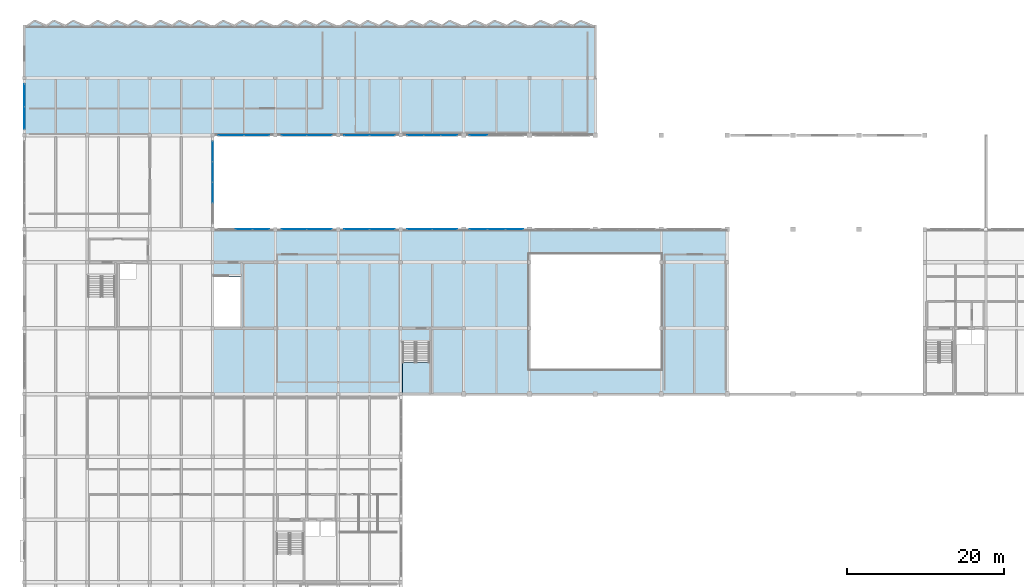
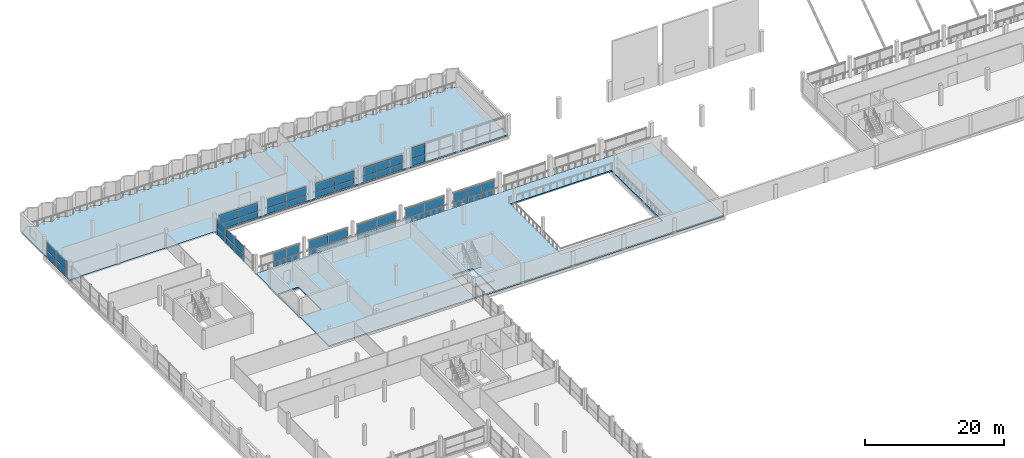
# One storey, part 32 of 51: 52 plates, 3 slabs, 13 elements without a shape of their own.
"""IFC4 building model written with IfcOpenShell, lengths in metres."""

from ifc_helpers import new_model, si_unit, direction, frame, origin, origin_2d, place, context, subcontext, project, spatial, polyline, rectangle, outline, extrude, material, layer, layer_set, type_object, element, aggregate, save


model = new_model("IFC4")

# Units and contexts
model_context = context("Model", 3, precision=1e-05, world=origin(), true_north=direction((0.0, 1.0)))
body_context = subcontext(model_context, "Body", "Model", "MODEL_VIEW")
ifc_project = project(units=[si_unit("LENGTHUNIT", "METRE"), si_unit("AREAUNIT", "SQUARE_METRE"), si_unit("VOLUMEUNIT", "CUBIC_METRE"), si_unit("PLANEANGLEUNIT", "RADIAN"), si_unit("MASSUNIT", "GRAM", prefix="KILO")], contexts=[model_context])

# Site, building, storey
site_placement = place(None, origin())
site = spatial("IfcSite", under=ifc_project, at=site_placement, CompositionType="ELEMENT")
building_placement = place(site_placement, origin())
building = spatial("IfcBuilding", under=site, at=building_placement, Name="Vharandega Faculty of Natural Sciences", CompositionType="ELEMENT")
storey_placement = place(building_placement, frame((0.0, 0.0, 14.39990234375)))
storey = spatial("IfcBuildingStorey", under=building, at=storey_placement, Name="L03", CompositionType="ELEMENT", Elevation=14.39990234375)

# Curtain wall, plates
ifc_material_1 = material(Name="Aluminium and solar-control glass curtain wall", Category="aluminium")
curtain_wall_type_1 = type_object("IfcCurtainWallType", Name="Unitised Curtain Wall System CW-11", PredefinedType="NOTDEFINED", material=ifc_material_1)
curtain_wall_1_placement = place(storey_placement, origin())
curtain_wall_1 = element("IfcCurtainWall", 1, at=curtain_wall_1_placement, inside=storey, type_object=curtain_wall_type_1, Name="Curtain Wall CW-L03-066", PredefinedType="NOTDEFINED")
ifc_material_2 = material(Name="Double-glazed low-E solar glass", Category="glass")
ifc_layer_1 = layer(ifc_material_2, 0.028076171875, Name="Double-glazed low-E solar glass")
ifc_layer_set_1 = layer_set([ifc_layer_1], Name="Double-glazed low-E solar glass")
plate_type = type_object("IfcPlateType", Name="CW Solar Vision Panel 28mm", PredefinedType="CURTAIN_PANEL", material=ifc_layer_set_1)
plate_1_placement = place(storey_placement, frame((0.0, 99.2099609375, 0.06005859375), z_axis=(0.0, 0.0, 1.0), x_axis=(0.0, 1.0, 0.0)))
plate_1 = element("IfcPlate", 2, at=plate_1_placement, type_object=plate_type, Name="CW-11 panel 1.1", PredefinedType="CURTAIN_PANEL", context=body_context, shape_type="SweptSolid", body=[
    extrude(rectangle(XDim=2.820068359375, YDim=0.028076171875, at=origin_2d()), origin(), (0.0, 0.0, 1.0), 1.060791015625),
])
plate_2_placement = place(storey_placement, frame((0.0, 99.2099609375, 1.1806640625), z_axis=(0.0, 0.0, 1.0), x_axis=(0.0, 1.0, 0.0)))
plate_2 = element("IfcPlate", 3, at=plate_2_placement, type_object=plate_type, Name="CW-11 panel 1.2", PredefinedType="CURTAIN_PANEL", context=body_context, shape_type="SweptSolid", body=[
    extrude(rectangle(XDim=2.820068359375, YDim=0.028076171875, at=origin_2d()), origin(), (0.0, 0.0, 1.0), 1.499267578125),
])
plate_3_placement = place(storey_placement, frame((0.0, 102.090087890625, 0.06005859375), z_axis=(0.0, 0.0, 1.0), x_axis=(0.0, 1.0, 0.0)))
plate_3 = element("IfcPlate", 4, at=plate_3_placement, type_object=plate_type, Name="CW-11 panel 2.1", PredefinedType="CURTAIN_PANEL", context=body_context, shape_type="SweptSolid", body=[
    extrude(rectangle(XDim=2.820068359375, YDim=0.028076171875, at=origin_2d()), origin(), (0.0, 0.0, 1.0), 1.060791015625),
])
plate_4_placement = place(storey_placement, frame((0.0, 102.090087890625, 1.1806640625), z_axis=(0.0, 0.0, 1.0), x_axis=(0.0, 1.0, 0.0)))
plate_4 = element("IfcPlate", 5, at=plate_4_placement, type_object=plate_type, Name="CW-11 panel 2.2", PredefinedType="CURTAIN_PANEL", context=body_context, shape_type="SweptSolid", body=[
    extrude(rectangle(XDim=2.820068359375, YDim=0.028076171875, at=origin_2d()), origin(), (0.0, 0.0, 1.0), 1.499267578125),
])
aggregate(curtain_wall_1, [plate_1, plate_2, plate_3, plate_4])

ifc_material_3 = material(Name="Aluminium and solar-control glass curtain wall", Category="aluminium")
curtain_wall_type_2 = type_object("IfcCurtainWallType", Name="Unitised Curtain Wall System CW-12", PredefinedType="NOTDEFINED", material=ifc_material_3)
curtain_wall_2_placement = place(storey_placement, origin())
curtain_wall_2 = element("IfcCurtainWall", 6, at=curtain_wall_2_placement, inside=storey, type_object=curtain_wall_type_2, Name="Curtain Wall CW-L03-067", PredefinedType="NOTDEFINED")
plate_5_placement = place(storey_placement, frame((26.385009765625, 97.0, 0.06005859375), z_axis=(0.0, 0.0, 1.0), x_axis=(1.0, 0.0, 0.0)))
plate_5 = element("IfcPlate", 7, at=plate_5_placement, type_object=plate_type, Name="CW-12 panel 1.1", PredefinedType="CURTAIN_PANEL", context=body_context, shape_type="SweptSolid", body=[
    extrude(rectangle(XDim=3.169921875, YDim=0.028076171875, at=origin_2d()), origin(), (0.0, 0.0, 1.0), 1.027099609375),
])
plate_6_placement = place(storey_placement, frame((26.385009765625, 97.0, 1.1474609375), z_axis=(0.0, 0.0, 1.0), x_axis=(1.0, 0.0, 0.0)))
plate_6 = element("IfcPlate", 8, at=plate_6_placement, type_object=plate_type, Name="CW-12 panel 1.2", PredefinedType="CURTAIN_PANEL", context=body_context, shape_type="SweptSolid", body=[
    extrude(rectangle(XDim=3.169921875, YDim=0.028076171875, at=origin_2d()), origin(), (0.0, 0.0, 1.0), 1.452880859375),
])
plate_7_placement = place(storey_placement, frame((29.614990234375, 97.0, 0.06005859375), z_axis=(0.0, 0.0, 1.0), x_axis=(1.0, 0.0, 0.0)))
plate_7 = element("IfcPlate", 9, at=plate_7_placement, type_object=plate_type, Name="CW-12 panel 2.1", PredefinedType="CURTAIN_PANEL", context=body_context, shape_type="SweptSolid", body=[
    extrude(rectangle(XDim=3.169921875, YDim=0.028076171875, at=origin_2d()), origin(), (0.0, 0.0, 1.0), 1.027099609375),
])
plate_8_placement = place(storey_placement, frame((29.614990234375, 97.0, 1.1474609375), z_axis=(0.0, 0.0, 1.0), x_axis=(1.0, 0.0, 0.0)))
plate_8 = element("IfcPlate", 10, at=plate_8_placement, type_object=plate_type, Name="CW-12 panel 2.2", PredefinedType="CURTAIN_PANEL", context=body_context, shape_type="SweptSolid", body=[
    extrude(rectangle(XDim=3.169921875, YDim=0.028076171875, at=origin_2d()), origin(), (0.0, 0.0, 1.0), 1.452880859375),
])
aggregate(curtain_wall_2, [plate_5, plate_6, plate_7, plate_8])

ifc_material_4 = material(Name="Aluminium and solar-control glass curtain wall", Category="aluminium")
curtain_wall_type_3 = type_object("IfcCurtainWallType", Name="Unitised Curtain Wall System CW-13", PredefinedType="NOTDEFINED", material=ifc_material_4)
curtain_wall_3_placement = place(storey_placement, origin())
curtain_wall_3 = element("IfcCurtainWall", 11, at=curtain_wall_3_placement, inside=storey, type_object=curtain_wall_type_3, Name="Curtain Wall CW-L03-068", PredefinedType="NOTDEFINED")
plate_9_placement = place(storey_placement, frame((34.385009765625, 97.0, 0.06005859375), z_axis=(0.0, 0.0, 1.0), x_axis=(1.0, 0.0, 0.0)))
plate_9 = element("IfcPlate", 12, at=plate_9_placement, type_object=plate_type, Name="CW-13 panel 1.1", PredefinedType="CURTAIN_PANEL", context=body_context, shape_type="SweptSolid", body=[
    extrude(rectangle(XDim=3.169921875, YDim=0.028076171875, at=origin_2d()), origin(), (0.0, 0.0, 1.0), 1.027099609375),
])
plate_10_placement = place(storey_placement, frame((34.385009765625, 97.0, 1.1474609375), z_axis=(0.0, 0.0, 1.0), x_axis=(1.0, 0.0, 0.0)))
plate_10 = element("IfcPlate", 13, at=plate_10_placement, type_object=plate_type, Name="CW-13 panel 1.2", PredefinedType="CURTAIN_PANEL", context=body_context, shape_type="SweptSolid", body=[
    extrude(rectangle(XDim=3.169921875, YDim=0.028076171875, at=origin_2d()), origin(), (0.0, 0.0, 1.0), 1.452880859375),
])
plate_11_placement = place(storey_placement, frame((37.614990234375, 97.0, 0.06005859375), z_axis=(0.0, 0.0, 1.0), x_axis=(1.0, 0.0, 0.0)))
plate_11 = element("IfcPlate", 14, at=plate_11_placement, type_object=plate_type, Name="CW-13 panel 2.1", PredefinedType="CURTAIN_PANEL", context=body_context, shape_type="SweptSolid", body=[
    extrude(rectangle(XDim=3.169921875, YDim=0.028076171875, at=origin_2d()), origin(), (0.0, 0.0, 1.0), 1.027099609375),
])
plate_12_placement = place(storey_placement, frame((37.614990234375, 97.0, 1.1474609375), z_axis=(0.0, 0.0, 1.0), x_axis=(1.0, 0.0, 0.0)))
plate_12 = element("IfcPlate", 15, at=plate_12_placement, type_object=plate_type, Name="CW-13 panel 2.2", PredefinedType="CURTAIN_PANEL", context=body_context, shape_type="SweptSolid", body=[
    extrude(rectangle(XDim=3.169921875, YDim=0.028076171875, at=origin_2d()), origin(), (0.0, 0.0, 1.0), 1.452880859375),
])
aggregate(curtain_wall_3, [plate_9, plate_10, plate_11, plate_12])

ifc_material_5 = material(Name="Aluminium and solar-control glass curtain wall", Category="aluminium")
curtain_wall_type_4 = type_object("IfcCurtainWallType", Name="Unitised Curtain Wall System CW-14", PredefinedType="NOTDEFINED", material=ifc_material_5)
curtain_wall_4_placement = place(storey_placement, origin())
curtain_wall_4 = element("IfcCurtainWall", 16, at=curtain_wall_4_placement, inside=storey, type_object=curtain_wall_type_4, Name="Curtain Wall CW-L03-069", PredefinedType="NOTDEFINED")
plate_13_placement = place(storey_placement, frame((42.385009765625, 97.0, 0.06005859375), z_axis=(0.0, 0.0, 1.0), x_axis=(1.0, 0.0, 0.0)))
plate_13 = element("IfcPlate", 17, at=plate_13_placement, type_object=plate_type, Name="CW-14 panel 1.1", PredefinedType="CURTAIN_PANEL", context=body_context, shape_type="SweptSolid", body=[
    extrude(rectangle(XDim=3.169921875, YDim=0.028076171875, at=origin_2d()), origin(), (0.0, 0.0, 1.0), 1.027099609375),
])
plate_14_placement = place(storey_placement, frame((42.385009765625, 97.0, 1.1474609375), z_axis=(0.0, 0.0, 1.0), x_axis=(1.0, 0.0, 0.0)))
plate_14 = element("IfcPlate", 18, at=plate_14_placement, type_object=plate_type, Name="CW-14 panel 1.2", PredefinedType="CURTAIN_PANEL", context=body_context, shape_type="SweptSolid", body=[
    extrude(rectangle(XDim=3.169921875, YDim=0.028076171875, at=origin_2d()), origin(), (0.0, 0.0, 1.0), 1.452880859375),
])
plate_15_placement = place(storey_placement, frame((45.614990234375, 97.0, 0.06005859375), z_axis=(0.0, 0.0, 1.0), x_axis=(1.0, 0.0, 0.0)))
plate_15 = element("IfcPlate", 19, at=plate_15_placement, type_object=plate_type, Name="CW-14 panel 2.1", PredefinedType="CURTAIN_PANEL", context=body_context, shape_type="SweptSolid", body=[
    extrude(rectangle(XDim=3.169921875, YDim=0.028076171875, at=origin_2d()), origin(), (0.0, 0.0, 1.0), 1.027099609375),
])
plate_16_placement = place(storey_placement, frame((45.614990234375, 97.0, 1.1474609375), z_axis=(0.0, 0.0, 1.0), x_axis=(1.0, 0.0, 0.0)))
plate_16 = element("IfcPlate", 20, at=plate_16_placement, type_object=plate_type, Name="CW-14 panel 2.2", PredefinedType="CURTAIN_PANEL", context=body_context, shape_type="SweptSolid", body=[
    extrude(rectangle(XDim=3.169921875, YDim=0.028076171875, at=origin_2d()), origin(), (0.0, 0.0, 1.0), 1.452880859375),
])
aggregate(curtain_wall_4, [plate_13, plate_14, plate_15, plate_16])

ifc_material_6 = material(Name="Aluminium and solar-control glass curtain wall", Category="aluminium")
curtain_wall_type_5 = type_object("IfcCurtainWallType", Name="Unitised Curtain Wall System CW-15", PredefinedType="NOTDEFINED", material=ifc_material_6)
curtain_wall_5_placement = place(storey_placement, origin())
curtain_wall_5 = element("IfcCurtainWall", 21, at=curtain_wall_5_placement, inside=storey, type_object=curtain_wall_type_5, Name="Curtain Wall CW-L03-070", PredefinedType="NOTDEFINED")
plate_17_placement = place(storey_placement, frame((49.841552734375, 97.0, 0.06005859375), z_axis=(0.0, 0.0, 1.0), x_axis=(1.0, 0.0, 0.0)))
plate_17 = element("IfcPlate", 22, at=plate_17_placement, type_object=plate_type, Name="CW-15 panel 1.1", PredefinedType="CURTAIN_PANEL", context=body_context, shape_type="SweptSolid", body=[
    extrude(rectangle(XDim=2.083251953125, YDim=0.028076171875, at=origin_2d()), origin(), (0.0, 0.0, 1.0), 1.027099609375),
])
plate_18_placement = place(storey_placement, frame((49.841552734375, 97.0, 1.1474609375), z_axis=(0.0, 0.0, 1.0), x_axis=(1.0, 0.0, 0.0)))
plate_18 = element("IfcPlate", 23, at=plate_18_placement, type_object=plate_type, Name="CW-15 panel 1.2", PredefinedType="CURTAIN_PANEL", context=body_context, shape_type="SweptSolid", body=[
    extrude(rectangle(XDim=2.083251953125, YDim=0.028076171875, at=origin_2d()), origin(), (0.0, 0.0, 1.0), 1.452880859375),
])
plate_19_placement = place(storey_placement, frame((52.0, 97.0, 0.06005859375), z_axis=(0.0, 0.0, 1.0), x_axis=(1.0, 0.0, 0.0)))
plate_19 = element("IfcPlate", 24, at=plate_19_placement, type_object=plate_type, Name="CW-15 panel 2.1", PredefinedType="CURTAIN_PANEL", context=body_context, shape_type="SweptSolid", body=[
    extrude(rectangle(XDim=2.11328125, YDim=0.028076171875, at=origin_2d()), origin(), (0.0, 0.0, 1.0), 1.027099609375),
])
plate_20_placement = place(storey_placement, frame((52.0, 97.0, 1.1474609375), z_axis=(0.0, 0.0, 1.0), x_axis=(1.0, 0.0, 0.0)))
plate_20 = element("IfcPlate", 25, at=plate_20_placement, type_object=plate_type, Name="CW-15 panel 2.2", PredefinedType="CURTAIN_PANEL", context=body_context, shape_type="SweptSolid", body=[
    extrude(rectangle(XDim=2.11328125, YDim=0.028076171875, at=origin_2d()), origin(), (0.0, 0.0, 1.0), 1.452880859375),
])
plate_21_placement = place(storey_placement, frame((54.158447265625, 97.0, 0.06005859375), z_axis=(0.0, 0.0, 1.0), x_axis=(1.0, 0.0, 0.0)))
plate_21 = element("IfcPlate", 26, at=plate_21_placement, type_object=plate_type, Name="CW-15 panel 3.1", PredefinedType="CURTAIN_PANEL", context=body_context, shape_type="SweptSolid", body=[
    extrude(rectangle(XDim=2.083251953125, YDim=0.028076171875, at=origin_2d()), origin(), (0.0, 0.0, 1.0), 1.027099609375),
])
plate_22_placement = place(storey_placement, frame((54.158447265625, 97.0, 1.1474609375), z_axis=(0.0, 0.0, 1.0), x_axis=(1.0, 0.0, 0.0)))
plate_22 = element("IfcPlate", 27, at=plate_22_placement, type_object=plate_type, Name="CW-15 panel 3.2", PredefinedType="CURTAIN_PANEL", context=body_context, shape_type="SweptSolid", body=[
    extrude(rectangle(XDim=2.083251953125, YDim=0.028076171875, at=origin_2d()), origin(), (0.0, 0.0, 1.0), 1.452880859375),
])
aggregate(curtain_wall_5, [plate_17, plate_18, plate_19, plate_20, plate_21, plate_22])

ifc_material_7 = material(Name="Aluminium and solar-control glass curtain wall", Category="aluminium")
curtain_wall_type_6 = type_object("IfcCurtainWallType", Name="Unitised Curtain Wall System CW-16", PredefinedType="NOTDEFINED", material=ifc_material_7)
curtain_wall_6_placement = place(storey_placement, origin())
curtain_wall_6 = element("IfcCurtainWall", 28, at=curtain_wall_6_placement, inside=storey, type_object=curtain_wall_type_6, Name="Curtain Wall CW-L03-071", PredefinedType="NOTDEFINED")
plate_23_placement = place(storey_placement, frame((57.908447265625, 97.0, 0.06005859375), z_axis=(0.0, 0.0, 1.0), x_axis=(1.0, 0.0, 0.0)))
plate_23 = element("IfcPlate", 29, at=plate_23_placement, type_object=plate_type, Name="CW-16 panel 1.1", PredefinedType="CURTAIN_PANEL", context=body_context, shape_type="SweptSolid", body=[
    extrude(rectangle(XDim=2.216552734375, YDim=0.028076171875, at=origin_2d()), origin(), (0.0, 0.0, 1.0), 1.304443359375),
])
plate_24_placement = place(storey_placement, frame((57.908447265625, 97.0, 1.42431640625), z_axis=(0.0, 0.0, 1.0), x_axis=(1.0, 0.0, 0.0)))
plate_24 = element("IfcPlate", 30, at=plate_24_placement, type_object=plate_type, Name="CW-16 panel 1.2", PredefinedType="CURTAIN_PANEL", context=body_context, shape_type="SweptSolid", body=[
    extrude(rectangle(XDim=2.216552734375, YDim=0.028076171875, at=origin_2d()), origin(), (0.0, 0.0, 1.0), 1.835693359375),
])
aggregate(curtain_wall_6, [plate_23, plate_24])

ifc_material_8 = material(Name="Aluminium and solar-control glass curtain wall", Category="aluminium")
curtain_wall_type_7 = type_object("IfcCurtainWallType", Name="Unitised Curtain Wall System CW-18", PredefinedType="NOTDEFINED", material=ifc_material_8)
curtain_wall_7_placement = place(storey_placement, origin())
curtain_wall_7 = element("IfcCurtainWall", 31, at=curtain_wall_7_placement, inside=storey, type_object=curtain_wall_type_7, Name="Curtain Wall CW-L03-073", PredefinedType="NOTDEFINED")
plate_25_placement = place(storey_placement, frame((24.0, 89.68505859375, 0.06005859375), z_axis=(0.0, 0.0, 1.0), x_axis=(0.0, 1.0, 0.0)))
plate_25 = element("IfcPlate", 32, at=plate_25_placement, type_object=plate_type, Name="CW-18 panel 2.1", PredefinedType="CURTAIN_PANEL", context=body_context, shape_type="SweptSolid", body=[
    extrude(rectangle(XDim=2.570068359375, YDim=0.028076171875, at=origin_2d()), origin(), (0.0, 0.0, 1.0), 1.039794921875),
])
plate_26_placement = place(storey_placement, frame((24.0, 89.68505859375, 1.159912109375), z_axis=(0.0, 0.0, 1.0), x_axis=(0.0, 1.0, 0.0)))
plate_26 = element("IfcPlate", 33, at=plate_26_placement, type_object=plate_type, Name="CW-18 panel 2.2", PredefinedType="CURTAIN_PANEL", context=body_context, shape_type="SweptSolid", body=[
    extrude(rectangle(XDim=2.570068359375, YDim=0.028076171875, at=origin_2d()), origin(), (0.0, 0.0, 1.0), 1.47021484375),
])
plate_27_placement = place(storey_placement, frame((24.0, 92.31494140625, 0.06005859375), z_axis=(0.0, 0.0, 1.0), x_axis=(0.0, 1.0, 0.0)))
plate_27 = element("IfcPlate", 34, at=plate_27_placement, type_object=plate_type, Name="CW-18 panel 3.1", PredefinedType="CURTAIN_PANEL", context=body_context, shape_type="SweptSolid", body=[
    extrude(rectangle(XDim=2.570068359375, YDim=0.028076171875, at=origin_2d()), origin(), (0.0, 0.0, 1.0), 1.039794921875),
])
plate_28_placement = place(storey_placement, frame((24.0, 92.31494140625, 1.159912109375), z_axis=(0.0, 0.0, 1.0), x_axis=(0.0, 1.0, 0.0)))
plate_28 = element("IfcPlate", 35, at=plate_28_placement, type_object=plate_type, Name="CW-18 panel 3.2", PredefinedType="CURTAIN_PANEL", context=body_context, shape_type="SweptSolid", body=[
    extrude(rectangle(XDim=2.570068359375, YDim=0.028076171875, at=origin_2d()), origin(), (0.0, 0.0, 1.0), 1.47021484375),
])
plate_29_placement = place(storey_placement, frame((24.0, 94.929931640625, 0.06005859375), z_axis=(0.0, 0.0, 1.0), x_axis=(0.0, 1.0, 0.0)))
plate_29 = element("IfcPlate", 36, at=plate_29_placement, type_object=plate_type, Name="CW-18 panel 4.1", PredefinedType="CURTAIN_PANEL", context=body_context, shape_type="SweptSolid", body=[
    extrude(rectangle(XDim=2.5400390625, YDim=0.028076171875, at=origin_2d()), origin(), (0.0, 0.0, 1.0), 1.039794921875),
])
plate_30_placement = place(storey_placement, frame((24.0, 94.929931640625, 1.159912109375), z_axis=(0.0, 0.0, 1.0), x_axis=(0.0, 1.0, 0.0)))
plate_30 = element("IfcPlate", 37, at=plate_30_placement, type_object=plate_type, Name="CW-18 panel 4.2", PredefinedType="CURTAIN_PANEL", context=body_context, shape_type="SweptSolid", body=[
    extrude(rectangle(XDim=2.5400390625, YDim=0.028076171875, at=origin_2d()), origin(), (0.0, 0.0, 1.0), 1.47021484375),
])
aggregate(curtain_wall_7, [plate_25, plate_26, plate_27, plate_28, plate_29, plate_30])

curtain_wall_8_placement = place(storey_placement, origin())
curtain_wall_8 = element("IfcCurtainWall", 38, at=curtain_wall_8_placement, inside=storey, type_object=curtain_wall_type_1, Name="Curtain Wall CW-L03-094", PredefinedType="NOTDEFINED")
plate_31_placement = place(storey_placement, frame((28.0, 85.0, 0.06005859375), z_axis=(0.0, 0.0, 1.0), x_axis=(1.0, 0.0, 0.0)))
plate_31 = element("IfcPlate", 39, at=plate_31_placement, type_object=plate_type, Name="CW-11 panel 2.1", PredefinedType="CURTAIN_PANEL", context=body_context, shape_type="SweptSolid", body=[
    extrude(rectangle(XDim=2.11328125, YDim=0.028076171875, at=origin_2d()), origin(), (0.0, 0.0, 1.0), 1.027099609375),
])
plate_32_placement = place(storey_placement, frame((28.0, 85.0, 1.1474609375), z_axis=(0.0, 0.0, 1.0), x_axis=(1.0, 0.0, 0.0)))
plate_32 = element("IfcPlate", 40, at=plate_32_placement, type_object=plate_type, Name="CW-11 panel 2.2", PredefinedType="CURTAIN_PANEL", context=body_context, shape_type="SweptSolid", body=[
    extrude(rectangle(XDim=2.11328125, YDim=0.028076171875, at=origin_2d()), origin(), (0.0, 0.0, 1.0), 1.452880859375),
])
plate_33_placement = place(storey_placement, frame((30.158447265625, 85.0, 0.06005859375), z_axis=(0.0, 0.0, 1.0), x_axis=(1.0, 0.0, 0.0)))
plate_33 = element("IfcPlate", 41, at=plate_33_placement, type_object=plate_type, Name="CW-11 panel 3.1", PredefinedType="CURTAIN_PANEL", context=body_context, shape_type="SweptSolid", body=[
    extrude(rectangle(XDim=2.083251953125, YDim=0.028076171875, at=origin_2d()), origin(), (0.0, 0.0, 1.0), 1.027099609375),
])
plate_34_placement = place(storey_placement, frame((30.158447265625, 85.0, 1.1474609375), z_axis=(0.0, 0.0, 1.0), x_axis=(1.0, 0.0, 0.0)))
plate_34 = element("IfcPlate", 42, at=plate_34_placement, type_object=plate_type, Name="CW-11 panel 3.2", PredefinedType="CURTAIN_PANEL", context=body_context, shape_type="SweptSolid", body=[
    extrude(rectangle(XDim=2.083251953125, YDim=0.028076171875, at=origin_2d()), origin(), (0.0, 0.0, 1.0), 1.452880859375),
])
aggregate(curtain_wall_8, [plate_31, plate_32, plate_33, plate_34])

curtain_wall_9_placement = place(storey_placement, origin())
curtain_wall_9 = element("IfcCurtainWall", 43, at=curtain_wall_9_placement, inside=storey, type_object=curtain_wall_type_2, Name="Curtain Wall CW-L03-095", PredefinedType="NOTDEFINED")
plate_35_placement = place(storey_placement, frame((34.385009765625, 85.0, 0.06005859375), z_axis=(0.0, 0.0, 1.0), x_axis=(1.0, 0.0, 0.0)))
plate_35 = element("IfcPlate", 44, at=plate_35_placement, type_object=plate_type, Name="CW-12 panel 1.1", PredefinedType="CURTAIN_PANEL", context=body_context, shape_type="SweptSolid", body=[
    extrude(rectangle(XDim=3.169921875, YDim=0.028076171875, at=origin_2d()), origin(), (0.0, 0.0, 1.0), 1.027099609375),
])
plate_36_placement = place(storey_placement, frame((34.385009765625, 85.0, 1.1474609375), z_axis=(0.0, 0.0, 1.0), x_axis=(1.0, 0.0, 0.0)))
plate_36 = element("IfcPlate", 45, at=plate_36_placement, type_object=plate_type, Name="CW-12 panel 1.2", PredefinedType="CURTAIN_PANEL", context=body_context, shape_type="SweptSolid", body=[
    extrude(rectangle(XDim=3.169921875, YDim=0.028076171875, at=origin_2d()), origin(), (0.0, 0.0, 1.0), 1.452880859375),
])
plate_37_placement = place(storey_placement, frame((37.614990234375, 85.0, 0.06005859375), z_axis=(0.0, 0.0, 1.0), x_axis=(1.0, 0.0, 0.0)))
plate_37 = element("IfcPlate", 46, at=plate_37_placement, type_object=plate_type, Name="CW-12 panel 2.1", PredefinedType="CURTAIN_PANEL", context=body_context, shape_type="SweptSolid", body=[
    extrude(rectangle(XDim=3.169921875, YDim=0.028076171875, at=origin_2d()), origin(), (0.0, 0.0, 1.0), 1.027099609375),
])
plate_38_placement = place(storey_placement, frame((37.614990234375, 85.0, 1.1474609375), z_axis=(0.0, 0.0, 1.0), x_axis=(1.0, 0.0, 0.0)))
plate_38 = element("IfcPlate", 47, at=plate_38_placement, type_object=plate_type, Name="CW-12 panel 2.2", PredefinedType="CURTAIN_PANEL", context=body_context, shape_type="SweptSolid", body=[
    extrude(rectangle(XDim=3.169921875, YDim=0.028076171875, at=origin_2d()), origin(), (0.0, 0.0, 1.0), 1.452880859375),
])
aggregate(curtain_wall_9, [plate_35, plate_36, plate_37, plate_38])

curtain_wall_10_placement = place(storey_placement, origin())
curtain_wall_10 = element("IfcCurtainWall", 48, at=curtain_wall_10_placement, inside=storey, type_object=curtain_wall_type_3, Name="Curtain Wall CW-L03-096", PredefinedType="NOTDEFINED")
plate_39_placement = place(storey_placement, frame((42.385009765625, 85.0, 0.06005859375), z_axis=(0.0, 0.0, 1.0), x_axis=(1.0, 0.0, 0.0)))
plate_39 = element("IfcPlate", 49, at=plate_39_placement, type_object=plate_type, Name="CW-13 panel 1.1", PredefinedType="CURTAIN_PANEL", context=body_context, shape_type="SweptSolid", body=[
    extrude(rectangle(XDim=3.169921875, YDim=0.028076171875, at=origin_2d()), origin(), (0.0, 0.0, 1.0), 1.027099609375),
])
plate_40_placement = place(storey_placement, frame((42.385009765625, 85.0, 1.1474609375), z_axis=(0.0, 0.0, 1.0), x_axis=(1.0, 0.0, 0.0)))
plate_40 = element("IfcPlate", 50, at=plate_40_placement, type_object=plate_type, Name="CW-13 panel 1.2", PredefinedType="CURTAIN_PANEL", context=body_context, shape_type="SweptSolid", body=[
    extrude(rectangle(XDim=3.169921875, YDim=0.028076171875, at=origin_2d()), origin(), (0.0, 0.0, 1.0), 1.452880859375),
])
plate_41_placement = place(storey_placement, frame((45.614990234375, 85.0, 0.06005859375), z_axis=(0.0, 0.0, 1.0), x_axis=(1.0, 0.0, 0.0)))
plate_41 = element("IfcPlate", 51, at=plate_41_placement, type_object=plate_type, Name="CW-13 panel 2.1", PredefinedType="CURTAIN_PANEL", context=body_context, shape_type="SweptSolid", body=[
    extrude(rectangle(XDim=3.169921875, YDim=0.028076171875, at=origin_2d()), origin(), (0.0, 0.0, 1.0), 1.027099609375),
])
plate_42_placement = place(storey_placement, frame((45.614990234375, 85.0, 1.1474609375), z_axis=(0.0, 0.0, 1.0), x_axis=(1.0, 0.0, 0.0)))
plate_42 = element("IfcPlate", 52, at=plate_42_placement, type_object=plate_type, Name="CW-13 panel 2.2", PredefinedType="CURTAIN_PANEL", context=body_context, shape_type="SweptSolid", body=[
    extrude(rectangle(XDim=3.169921875, YDim=0.028076171875, at=origin_2d()), origin(), (0.0, 0.0, 1.0), 1.452880859375),
])
aggregate(curtain_wall_10, [plate_39, plate_40, plate_41, plate_42])

curtain_wall_11_placement = place(storey_placement, origin())
curtain_wall_11 = element("IfcCurtainWall", 53, at=curtain_wall_11_placement, inside=storey, type_object=curtain_wall_type_4, Name="Curtain Wall CW-L03-097", PredefinedType="NOTDEFINED")
plate_43_placement = place(storey_placement, frame((50.385009765625, 85.0, 0.06005859375), z_axis=(0.0, 0.0, 1.0), x_axis=(1.0, 0.0, 0.0)))
plate_43 = element("IfcPlate", 54, at=plate_43_placement, type_object=plate_type, Name="CW-14 panel 1.1", PredefinedType="CURTAIN_PANEL", context=body_context, shape_type="SweptSolid", body=[
    extrude(rectangle(XDim=3.169921875, YDim=0.028076171875, at=origin_2d()), origin(), (0.0, 0.0, 1.0), 1.027099609375),
])
plate_44_placement = place(storey_placement, frame((50.385009765625, 85.0, 1.1474609375), z_axis=(0.0, 0.0, 1.0), x_axis=(1.0, 0.0, 0.0)))
plate_44 = element("IfcPlate", 55, at=plate_44_placement, type_object=plate_type, Name="CW-14 panel 1.2", PredefinedType="CURTAIN_PANEL", context=body_context, shape_type="SweptSolid", body=[
    extrude(rectangle(XDim=3.169921875, YDim=0.028076171875, at=origin_2d()), origin(), (0.0, 0.0, 1.0), 1.452880859375),
])
plate_45_placement = place(storey_placement, frame((53.614990234375, 85.0, 0.06005859375), z_axis=(0.0, 0.0, 1.0), x_axis=(1.0, 0.0, 0.0)))
plate_45 = element("IfcPlate", 56, at=plate_45_placement, type_object=plate_type, Name="CW-14 panel 2.1", PredefinedType="CURTAIN_PANEL", context=body_context, shape_type="SweptSolid", body=[
    extrude(rectangle(XDim=3.169921875, YDim=0.028076171875, at=origin_2d()), origin(), (0.0, 0.0, 1.0), 1.027099609375),
])
plate_46_placement = place(storey_placement, frame((53.614990234375, 85.0, 1.1474609375), z_axis=(0.0, 0.0, 1.0), x_axis=(1.0, 0.0, 0.0)))
plate_46 = element("IfcPlate", 57, at=plate_46_placement, type_object=plate_type, Name="CW-14 panel 2.2", PredefinedType="CURTAIN_PANEL", context=body_context, shape_type="SweptSolid", body=[
    extrude(rectangle(XDim=3.169921875, YDim=0.028076171875, at=origin_2d()), origin(), (0.0, 0.0, 1.0), 1.452880859375),
])
aggregate(curtain_wall_11, [plate_43, plate_44, plate_45, plate_46])

curtain_wall_12_placement = place(storey_placement, origin())
curtain_wall_12 = element("IfcCurtainWall", 58, at=curtain_wall_12_placement, inside=storey, type_object=curtain_wall_type_5, Name="Curtain Wall CW-L03-098", PredefinedType="NOTDEFINED")
plate_47_placement = place(storey_placement, frame((57.908447265625, 85.0, 0.06005859375), z_axis=(0.0, 0.0, 1.0), x_axis=(1.0, 0.0, 0.0)))
plate_47 = element("IfcPlate", 59, at=plate_47_placement, type_object=plate_type, Name="CW-15 panel 1.1", PredefinedType="CURTAIN_PANEL", context=body_context, shape_type="SweptSolid", body=[
    extrude(rectangle(XDim=2.216552734375, YDim=0.028076171875, at=origin_2d()), origin(), (0.0, 0.0, 1.0), 1.010498046875),
])
plate_48_placement = place(storey_placement, frame((57.908447265625, 85.0, 1.13037109375), z_axis=(0.0, 0.0, 1.0), x_axis=(1.0, 0.0, 0.0)))
plate_48 = element("IfcPlate", 60, at=plate_48_placement, type_object=plate_type, Name="CW-15 panel 1.2", PredefinedType="CURTAIN_PANEL", context=body_context, shape_type="SweptSolid", body=[
    extrude(rectangle(XDim=2.216552734375, YDim=0.028076171875, at=origin_2d()), origin(), (0.0, 0.0, 1.0), 1.4296875),
])
plate_49_placement = place(storey_placement, frame((60.199951171875, 85.0, 0.06005859375), z_axis=(0.0, 0.0, 1.0), x_axis=(1.0, 0.0, 0.0)))
plate_49 = element("IfcPlate", 61, at=plate_49_placement, type_object=plate_type, Name="CW-15 panel 2.1", PredefinedType="CURTAIN_PANEL", context=body_context, shape_type="SweptSolid", body=[
    extrude(rectangle(XDim=2.24658203125, YDim=0.028076171875, at=origin_2d()), origin(), (0.0, 0.0, 1.0), 1.010498046875),
])
plate_50_placement = place(storey_placement, frame((60.199951171875, 85.0, 1.13037109375), z_axis=(0.0, 0.0, 1.0), x_axis=(1.0, 0.0, 0.0)))
plate_50 = element("IfcPlate", 62, at=plate_50_placement, type_object=plate_type, Name="CW-15 panel 2.2", PredefinedType="CURTAIN_PANEL", context=body_context, shape_type="SweptSolid", body=[
    extrude(rectangle(XDim=2.24658203125, YDim=0.028076171875, at=origin_2d()), origin(), (0.0, 0.0, 1.0), 1.4296875),
])
plate_51_placement = place(storey_placement, frame((62.49169921875, 85.0, 0.06005859375), z_axis=(0.0, 0.0, 1.0), x_axis=(1.0, 0.0, 0.0)))
plate_51 = element("IfcPlate", 63, at=plate_51_placement, type_object=plate_type, Name="CW-15 panel 3.1", PredefinedType="CURTAIN_PANEL", context=body_context, shape_type="SweptSolid", body=[
    extrude(rectangle(XDim=2.216552734375, YDim=0.028076171875, at=origin_2d()), origin(), (0.0, 0.0, 1.0), 1.010498046875),
])
plate_52_placement = place(storey_placement, frame((62.49169921875, 85.0, 1.13037109375), z_axis=(0.0, 0.0, 1.0), x_axis=(1.0, 0.0, 0.0)))
plate_52 = element("IfcPlate", 64, at=plate_52_placement, type_object=plate_type, Name="CW-15 panel 3.2", PredefinedType="CURTAIN_PANEL", context=body_context, shape_type="SweptSolid", body=[
    extrude(rectangle(XDim=2.216552734375, YDim=0.028076171875, at=origin_2d()), origin(), (0.0, 0.0, 1.0), 1.4296875),
])
aggregate(curtain_wall_12, [plate_47, plate_48, plate_49, plate_50, plate_51, plate_52])

# Slabs
ifc_material_9 = material(Name="Cross-laminated timber CLT7-240", Category="wood")
ifc_layer_2 = layer(ifc_material_9, 0.239990234375, Name="Cross-laminated timber CLT7-240")
ifc_layer_set_2 = layer_set([ifc_layer_2], Name="Cross-laminated timber CLT7-240")
slab_type_1 = type_object("IfcSlabType", Name="SLAB-CLT-240", PredefinedType="FLOOR", material=ifc_layer_set_2)
slab_1_placement = place(storey_placement, frame((0.0, 0.0, -0.239990234375)))
element("IfcSlab", 65, at=slab_1_placement, inside=storey, type_object=slab_type_1, Name="L03 V2 Floor Slab", PredefinedType="FLOOR", context=body_context, shape_type="SweptSolid", body=[
    extrude(outline(polyline([(0.0, 97.0), (72.800048828125, 97.0), (72.800048828125, 110.949951171875), (72.43994140625, 110.949951171875), (70.904052734375, 111.60009765625), (69.8798828125, 110.949951171875), (69.8798828125, 110.949951171875), (68.343994140625, 111.60009765625), (67.320068359375, 110.949951171875), (67.320068359375, 110.949951171875), (65.783935546875, 111.60009765625), (64.760009765625, 110.949951171875), (64.0400390625, 110.949951171875), (62.50390625, 111.60009765625), (61.47998046875, 110.949951171875), (61.47998046875, 110.949951171875), (59.944091796875, 111.60009765625), (58.919921875, 110.949951171875), (58.919921875, 110.949951171875), (57.384033203125, 111.60009765625), (56.360107421875, 110.949951171875), (55.639892578125, 110.949951171875), (54.18408203125, 111.60009765625), (53.21337890625, 110.949951171875), (53.21337890625, 110.949951171875), (51.75732421875, 111.60009765625), (50.78662109375, 110.949951171875), (50.78662109375, 110.949951171875), (49.330810546875, 111.60009765625), (48.360107421875, 110.949951171875), (47.639892578125, 110.949951171875), (46.18408203125, 111.60009765625), (45.21337890625, 110.949951171875), (45.21337890625, 110.949951171875), (43.75732421875, 111.60009765625), (42.78662109375, 110.949951171875), (42.78662109375, 110.949951171875), (41.330810546875, 111.60009765625), (40.360107421875, 110.949951171875), (39.639892578125, 110.949951171875), (38.18408203125, 111.60009765625), (37.21337890625, 110.949951171875), (37.21337890625, 110.949951171875), (35.75732421875, 111.60009765625), (34.78662109375, 110.949951171875), (34.78662109375, 110.949951171875), (33.330810546875, 111.60009765625), (32.360107421875, 110.949951171875), (31.639892578125, 110.949951171875), (30.18408203125, 111.60009765625), (29.21337890625, 110.949951171875), (29.21337890625, 110.949951171875), (27.75732421875, 111.60009765625), (26.78662109375, 110.949951171875), (26.78662109375, 110.949951171875), (25.330810546875, 111.60009765625), (24.360107421875, 110.949951171875), (23.639892578125, 110.949951171875), (22.18408203125, 111.60009765625), (21.21337890625, 110.949951171875), (21.21337890625, 110.949951171875), (19.75732421875, 111.60009765625), (18.78662109375, 110.949951171875), (18.78662109375, 110.949951171875), (17.330810546875, 111.60009765625), (16.360107421875, 110.949951171875), (15.639892578125, 110.949951171875), (14.18408203125, 111.60009765625), (13.21337890625, 110.949951171875), (13.21337890625, 110.949951171875), (11.75732421875, 111.60009765625), (10.78662109375, 110.949951171875), (10.78662109375, 110.949951171875), (9.330810546875, 111.60009765625), (8.360107421875, 110.949951171875), (7.639892578125, 110.949951171875), (6.18408203125, 111.60009765625), (5.21337890625, 110.949951171875), (5.21337890625, 110.949951171875), (3.75732421875, 111.60009765625), (2.78662109375, 110.949951171875), (2.78662109375, 110.949951171875), (1.330810546875, 111.60009765625), (0.360107421875, 110.949951171875), (0.0, 110.949951171875), (0.0, 97.0)])), origin(), (0.0, 0.0, 1.0), 0.239990234375),
])
slab_2_placement = place(storey_placement, frame((0.0, 0.0, -0.239990234375)))
element("IfcSlab", 66, at=slab_2_placement, inside=storey, type_object=slab_type_1, Name="L03 V3 Floor Slab", PredefinedType="FLOOR", context=body_context, shape_type="SweptSolid", body=[
    extrude(outline(polyline([(24.0, 64.0), (89.60009765625, 64.0), (89.60009765625, 85.0), (24.0, 85.0), (24.0, 64.0)]), holes=[polyline([(64.39990234375, 67.199951171875), (81.199951171875, 67.199951171875), (81.199951171875, 81.800048828125), (64.39990234375, 81.800048828125), (64.39990234375, 67.199951171875)]), polyline([(48.199951171875, 70.544921875), (48.199951171875, 64.139892578125), (51.6201171875, 64.139892578125), (51.6201171875, 70.544921875), (48.199951171875, 70.544921875)]), polyline([(24.199951171875, 78.945068359375), (24.199951171875, 72.5400390625), (27.6201171875, 72.5400390625), (27.6201171875, 78.945068359375), (24.199951171875, 78.945068359375)])]), origin(), (0.0, 0.0, 1.0), 0.239990234375),
])

# Stair, slab
ifc_material_10 = material(Name="Concrete C40/50", Category="concrete")
stair_type = type_object("IfcStairType", Name="Escape Dog-Leg Stair W165 H360", PredefinedType="HALF_TURN_STAIR", material=ifc_material_10)
stair_placement = place(storey_placement, origin())
stair = element("IfcStair", 67, at=stair_placement, inside=storey, type_object=stair_type, Name="L03 Escape Stair ST5", PredefinedType="HALF_TURN_STAIR")
ifc_material_11 = material(Name="Concrete C40/50", Category="concrete")
ifc_layer_3 = layer(ifc_material_11, 0.199951171875, Name="Concrete C40/50")
ifc_layer_set_3 = layer_set([ifc_layer_3], Name="Concrete C40/50")
slab_type_2 = type_object("IfcSlabType", Name="Stair Half-Landing Slab 200", PredefinedType="LANDING", material=ifc_layer_set_3)
slab_3_placement = place(storey_placement, frame((0.0, 0.0, 1.60009765625)))
slab_3 = element("IfcSlab", 68, at=slab_3_placement, type_object=slab_type_2, Name="ST5 landing 1", PredefinedType="LANDING", context=body_context, shape_type="SweptSolid", body=[
    extrude(outline(polyline([(48.199951171875, 68.0), (48.199951171875, 64.139892578125), (51.6201171875, 64.139892578125), (51.6201171875, 68.0), (48.199951171875, 68.0)])), origin(), (0.0, 0.0, 1.0), 0.199951171875),
])
aggregate(stair, [slab_3])

save(model, "model.ifc")
